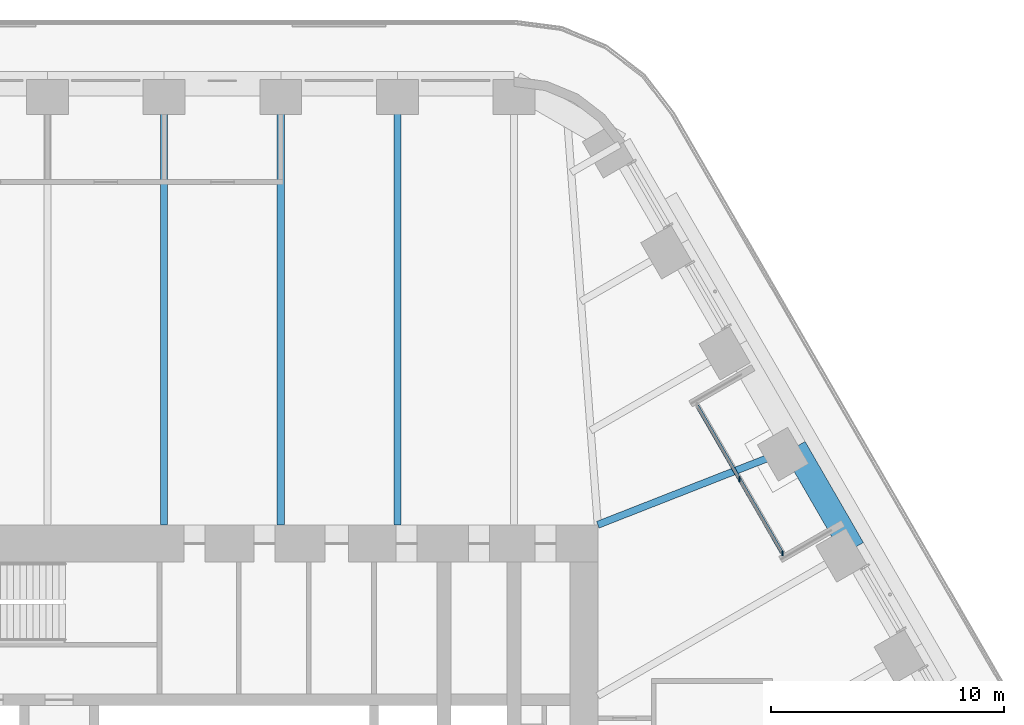
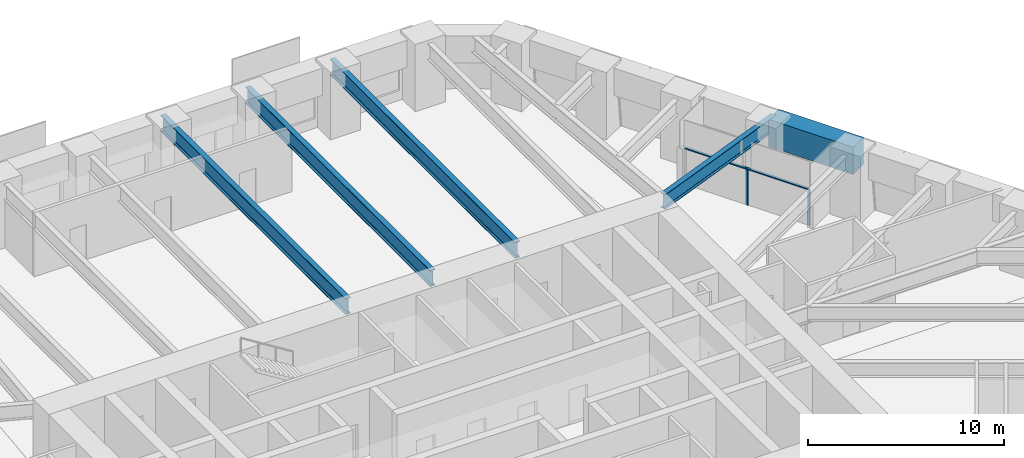
# One storey, part 11 of 24: 5 beams, 3 members, 1 element without a shape of its own.
"""IFC4 building model written with IfcOpenShell, lengths in metres."""

import ifcopenshell
import ifcopenshell.guid

model = None  # the IFC model being written
_history = None  # IfcOwnerHistory: only IFC2X3 demands one
_inside = {}  # id of a spatial element -> (the spatial element, [elements in it])
_under = {}  # id of a project, library or spatial element -> (it, [spatial elements below it])
_declared = {}  # id of a project -> (the project, [libraries it declares])
_typed = {}  # id of a type object -> (the type object, [elements of that type])
_made_of = {}  # id of a material, layer set ... -> (it, [elements and type objects made of it])


def new_model(schema):
    """Start an empty IFC model of exactly this schema.

    Asked for "IFC4X3", IfcOpenShell would pick the latest addendum, in which some entities
    have other attributes; the version numbers below select the first issue.
    IFC2X3 requires an IfcOwnerHistory on every rooted entity: one is made here for all.
    """
    global model, _history
    if schema == "IFC4X3":
        model = ifcopenshell.file(schema_version=(4, 3, 0, 0))
    else:
        model = ifcopenshell.file(schema=schema)
    _inside.clear()
    _under.clear()
    _declared.clear()
    _typed.clear()
    _made_of.clear()
    _history = None
    if model.schema == "IFC2X3":
        org = make("IfcOrganization", Name="unknown")
        user = make(
            "IfcPersonAndOrganization",
            ThePerson=make("IfcPerson", FamilyName="unknown"),
            TheOrganization=org,
        )
        app = make(
            "IfcApplication",
            ApplicationDeveloper=org,
            Version="unknown",
            ApplicationFullName="unknown",
            ApplicationIdentifier="unknown",
        )
        _history = make(
            "IfcOwnerHistory",
            OwningUser=user,
            OwningApplication=app,
            ChangeAction="ADDED",
            CreationDate=0,
        )
    return model


def make(cls, **values):
    """One entity of the class cls with the attributes given. An attribute that is None is left unset."""
    return model.create_entity(
        cls, **{name: value for name, value in values.items() if value is not None}
    )


def rooted(cls, **values):
    """An entity with a GlobalId (a new one), such as an element, a storey or a relation."""
    return make(cls, GlobalId=ifcopenshell.guid.new(), OwnerHistory=_history, **values)


def si_unit(unit_type, name, prefix=None):
    """IfcSIUnit, for example si_unit("LENGTHUNIT", "METRE", prefix="MILLI")."""
    return make("IfcSIUnit", UnitType=unit_type, Prefix=prefix, Name=name)


def assignment(units):
    """IfcUnitAssignment: the units of a project."""
    return None if units is None else make("IfcUnitAssignment", Units=units)


def point(xyz):
    """IfcCartesianPoint."""
    return None if xyz is None else make("IfcCartesianPoint", Coordinates=xyz)


def direction(xyz):
    """IfcDirection."""
    return None if xyz is None else make("IfcDirection", DirectionRatios=xyz)


def frame(location, z_axis=None, x_axis=None):
    """IfcAxis2Placement3D, a coordinate frame: its origin and axes. An axis left out is left unset."""
    return make(
        "IfcAxis2Placement3D",
        Location=point(location),
        Axis=direction(z_axis),
        RefDirection=direction(x_axis),
    )


def frame_2d(location, x_axis=None):
    """IfcAxis2Placement2D, a coordinate frame in the plane: its origin and x axis."""
    return make(
        "IfcAxis2Placement2D", Location=point(location), RefDirection=direction(x_axis)
    )


def origin():
    """The frame at (0, 0, 0) with its axes left unset."""
    return frame((0.0, 0.0, 0.0))


def origin_2d():
    """The frame at (0, 0) in the plane with its x axis left unset."""
    return frame_2d((0.0, 0.0))


def place(relative_to, where):
    """IfcLocalPlacement: puts the frame where relative to a parent placement (None: the world)."""
    return make(
        "IfcLocalPlacement", PlacementRelTo=relative_to, RelativePlacement=where
    )


def context(
    kind, dimensions, precision=None, world=None, true_north=None, identifier=None
):
    """IfcGeometricRepresentationContext, for example the 3D "Model" context."""
    return make(
        "IfcGeometricRepresentationContext",
        ContextIdentifier=identifier,
        ContextType=kind,
        CoordinateSpaceDimension=dimensions,
        Precision=precision,
        WorldCoordinateSystem=world,
        TrueNorth=true_north,
    )


def subcontext(parent, identifier, kind, view, scale=None):
    """IfcGeometricRepresentationSubContext, for example "Body" below "Model"."""
    return make(
        "IfcGeometricRepresentationSubContext",
        ContextIdentifier=identifier,
        ContextType=kind,
        ParentContext=parent,
        TargetScale=scale,
        TargetView=view,
    )


def project(units=None, contexts=None):
    """IfcProject with its units and contexts."""
    return rooted(
        "IfcProject",
        Name="project",
        RepresentationContexts=contexts,
        UnitsInContext=assignment(units),
    )


def spatial(cls, under=None, at=None, **own):
    """A site, building, storey or space (cls), placed at a placement, below another one or the project."""
    s = rooted(cls, ObjectPlacement=at, **own)
    if under is not None:
        _under.setdefault(under.id(), (under, []))[1].append(s)
    return s


def profile(cls, at=None, kind="AREA", **sizes):
    """A parametric profile (cls). Its sizes go by their IFC names, for example OverallWidth=200.0."""
    return make(cls, ProfileType=kind, Position=at, **sizes)


def rectangle(**sizes):
    """IfcRectangleProfileDef."""
    return profile("IfcRectangleProfileDef", **sizes)


def i_section(**sizes):
    """IfcIShapeProfileDef."""
    return profile("IfcIShapeProfileDef", **sizes)


def extrude(swept, where, along, depth):
    """IfcExtrudedAreaSolid: the profile swept, set in the frame where, extruded along a direction by depth."""
    return make(
        "IfcExtrudedAreaSolid",
        SweptArea=swept,
        Position=where,
        ExtrudedDirection=direction(along),
        Depth=depth,
    )


def shape(context_of_items, identifier, shape_type, items):
    """IfcShapeRepresentation: the items that make up one representation, for example the "Body"."""
    return make(
        "IfcShapeRepresentation",
        ContextOfItems=context_of_items,
        RepresentationIdentifier=identifier,
        RepresentationType=shape_type,
        Items=items,
    )


def material(Name=None, Category=None):
    """IfcMaterial."""
    return make("IfcMaterial", Name=Name, Category=Category)


def material_profile(
    of_material, cross_section, Name=None, Category=None, Priority=None
):
    """IfcMaterialProfile: a cross section and its material."""
    return make(
        "IfcMaterialProfile",
        Name=Name,
        Material=of_material,
        Profile=cross_section,
        Priority=Priority,
        Category=Category,
    )


def profile_set(profiles, Name=None, composite=None):
    """IfcMaterialProfileSet."""
    return make(
        "IfcMaterialProfileSet",
        Name=Name,
        MaterialProfiles=profiles,
        CompositeProfile=composite,
    )


def made_of(thing, what):
    """Note that an element or type object is made of a material, layer set ...; save() writes the relation."""
    if what is not None:
        _made_of.setdefault(what.id(), (what, []))[1].append(thing)
    return thing


def type_object(cls, material=None, **own):
    """A type object (cls), such as IfcWallType, which elements share."""
    return made_of(rooted(cls, **own), material)


def element(
    cls,
    number,
    at=None,
    inside=None,
    cuts=None,
    type_object=None,
    material=None,
    context=None,
    identifier="Body",
    shape_type=None,
    held_by="IfcProductDefinitionShape",
    body=None,
    shapes=None,
    **own,
):
    """One element of the class cls, such as IfcWall. Its Tag is "e" and its number.

    at: its placement. inside: the storey or other place that contains it. cuts: it is an
    opening in that element (IfcRelVoidsElement). A single representation is given by context,
    identifier, shape_type and body (its items); several are given by shapes. held_by: the class
    of the entity that holds the representations. save() writes the other relations.
    """
    e = rooted(cls, Tag="e%d" % number, ObjectPlacement=at, **own)
    if body is not None:
        shapes = [shape(context, identifier, shape_type, body)]
    if shapes is not None:
        e.Representation = make(held_by, Representations=shapes)
    if inside is not None:
        _inside.setdefault(inside.id(), (inside, []))[1].append(e)
    if cuts is not None:
        rooted(
            "IfcRelVoidsElement", RelatingBuildingElement=cuts, RelatedOpeningElement=e
        )
    if type_object is not None:
        _typed.setdefault(type_object.id(), (type_object, []))[1].append(e)
    return made_of(e, material)


def aggregate(whole, parts):
    """IfcRelAggregates: a whole, such as a stair, and the parts it consists of."""
    return rooted("IfcRelAggregates", RelatingObject=whole, RelatedObjects=parts)


def save(model, path):
    """Write the relations noted so far, then the file.

    IfcRelAggregates (storeys below a building ...), IfcRelContainedInSpatialStructure (elements
    in a storey), IfcRelDefinesByType, IfcRelAssociatesMaterial and IfcRelDeclares: one each for
    every whole, place, type object, material and project.
    """
    for whole, parts in _under.values():
        aggregate(whole, parts)
    for where, things in _inside.values():
        rooted(
            "IfcRelContainedInSpatialStructure",
            RelatedElements=things,
            RelatingStructure=where,
        )
    for kind, things in _typed.values():
        rooted("IfcRelDefinesByType", RelatedObjects=things, RelatingType=kind)
    for what, things in _made_of.values():
        rooted("IfcRelAssociatesMaterial", RelatedObjects=things, RelatingMaterial=what)
    for by, libraries in _declared.values():
        rooted("IfcRelDeclares", RelatingContext=by, RelatedDefinitions=libraries)
    model.write(path)


model = new_model("IFC4")

# Units and contexts
model_context = context("Model", 3, precision=1e-05, world=origin(), true_north=direction((0.0, 1.0)))
body_context = subcontext(model_context, "Body", "Model", "MODEL_VIEW")
ifc_project = project(units=[si_unit("LENGTHUNIT", "METRE"), si_unit("AREAUNIT", "SQUARE_METRE"), si_unit("VOLUMEUNIT", "CUBIC_METRE"), si_unit("PLANEANGLEUNIT", "RADIAN"), si_unit("MASSUNIT", "GRAM", prefix="KILO")], contexts=[model_context])

# Site, building, storey
site_placement = place(None, origin())
site = spatial("IfcSite", under=ifc_project, at=site_placement, CompositionType="ELEMENT")
building_placement = place(site_placement, origin())
building = spatial("IfcBuilding", under=site, at=building_placement, Name="Tarfa Lantern Tower", CompositionType="ELEMENT")
storey_placement = place(building_placement, frame((0.0, 0.0, 132.10009765625)))
storey = spatial("IfcBuildingStorey", under=building, at=storey_placement, Name="L29", CompositionType="ELEMENT", Elevation=132.10009765625)

# Curtain wall, members
ifc_material_1 = material(Name="Aluminium framed curtain wall", Category="aluminium")
curtain_wall_type = type_object("IfcCurtainWallType", Name="CW10 LOGGIA GLAZING 2300", PredefinedType="USERDEFINED", material=ifc_material_1)
curtain_wall_placement = place(storey_placement, origin())
curtain_wall = element("IfcCurtainWall", 1, at=curtain_wall_placement, inside=storey, type_object=curtain_wall_type, Name="CW10 NEL L29", ObjectType="CURTAIN WALL", PredefinedType="USERDEFINED")
ifc_material_2 = material(Name="Aluminium mullion", Category="aluminium")
ifc_material_profile_1 = material_profile(ifc_material_2, rectangle(XDim=0.06494140625, YDim=0.199951171875, at=origin_2d()), Name="AL MULLION 65x200")
ifc_profile_set_1 = profile_set([ifc_material_profile_1], Name="Aluminium mullion")
member_type_1 = type_object("IfcMemberType", Name="CWM1 MULLION 65x200", PredefinedType="MULLION", material=ifc_profile_set_1)
member_1_placement = place(storey_placement, frame((26.517333984375, 11.070556640625, 0.0), z_axis=(0.0, 0.0, 1.0), x_axis=(1.0, 0.0, 0.0)))
member_1 = element("IfcMember", 2, at=member_1_placement, type_object=member_type_1, Name="CW10 mullion 1", PredefinedType="MULLION", context=body_context, shape_type="SweptSolid", body=[
    extrude(rectangle(XDim=0.06494140625, YDim=0.199951171875, at=origin_2d()), origin(), (0.0, 0.0, 1.0), 2.2998046875),
])
member_2_placement = place(storey_placement, frame((24.681640625, 14.25, 0.0), z_axis=(0.0, 0.0, 1.0), x_axis=(1.0, 0.0, 0.0)))
member_2 = element("IfcMember", 3, at=member_2_placement, type_object=member_type_1, Name="CW10 mullion 2", PredefinedType="MULLION", context=body_context, shape_type="SweptSolid", body=[
    extrude(rectangle(XDim=0.06494140625, YDim=0.199951171875, at=origin_2d()), origin(), (0.0, 0.0, 1.0), 2.2998046875),
])
ifc_material_3 = material(Name="Aluminium transom", Category="aluminium")
ifc_material_profile_2 = material_profile(ifc_material_3, rectangle(XDim=0.14990234375, YDim=0.06494140625, at=origin_2d()), Name="AL TRANSOM 150x65")
ifc_profile_set_2 = profile_set([ifc_material_profile_2], Name="Aluminium transom")
member_type_2 = type_object("IfcMemberType", Name="CWT1 TRANSOM 150x65", PredefinedType="USERDEFINED", material=ifc_profile_set_2)
member_3_placement = place(storey_placement, frame((26.5009765625, 11.098876953125, 2.267333984375), z_axis=(-0.500007048974, 0.866021334019, 0.0), x_axis=(-0.866021334019, -0.500007048974, 0.0)))
member_3 = element("IfcMember", 4, at=member_3_placement, type_object=member_type_2, Name="CW10 transom 1.2", ObjectType="TRANSOM", PredefinedType="USERDEFINED", context=body_context, shape_type="SweptSolid", body=[
    extrude(rectangle(XDim=0.14990234375, YDim=0.06494140625, at=origin_2d()), origin(), (0.0, 0.0, 1.0), 7.27734375),
])
aggregate(curtain_wall, [member_1, member_2, member_3])

# Beams
ifc_material_4 = material(Name="Concrete C80/95", Category="concrete")
ifc_material_profile_3 = material_profile(ifc_material_4, rectangle(XDim=1.050048828125, YDim=1.699951171875, at=origin_2d()), Name="RC 1050x1700")
ifc_profile_set_3 = profile_set([ifc_material_profile_3], Name="Concrete C80/95")
beam_type_1 = type_object("IfcBeamType", Name="RB2 RC 1050x1700", PredefinedType="BEAM", material=ifc_profile_set_3)
beam_1_placement = place(storey_placement, frame((29.5390625, 11.276611328125, 3.14990234375), z_axis=(-0.499964603504, 0.866045838996, 0.0), x_axis=(-0.866045838996, -0.499964603504, 0.0)))
element("IfcBeam", 5, at=beam_1_placement, inside=storey, type_object=beam_type_1, Name="Edge beam NE2", PredefinedType="BEAM", context=body_context, shape_type="SweptSolid", body=[
    extrude(rectangle(XDim=1.050048828125, YDim=1.699951171875, at=origin_2d()), origin(), (0.0, 0.0, 1.0), 5.003662109375),
])
ifc_material_5 = material(Name="Steel S460M", Category="steel")
ifc_material_profile_4 = material_profile(ifc_material_5, i_section(OverallWidth=0.302001953125, OverallDepth=1.008056640625, WebThickness=0.02099609375, FlangeThickness=0.0400390625, FilletRadius=0.030029296875, at=origin_2d()), Name="UB1016x305x349")
ifc_profile_set_4 = profile_set([ifc_material_profile_4], Name="Steel S460M")
beam_type_2 = type_object("IfcBeamType", Name="UB1016x305x349", PredefinedType="BEAM", material=ifc_profile_set_4)
for number, where, z_axis, x_axis, name in (
    (6, (10.00732421875, 31.219970703125, 3.495849609375), (0.0, -1.0, 0.0), (1.0, 0.0, 0.0), "Floor beam N1"),
    (7, (5.003662109375, 31.219970703125, 3.495849609375), (0.0, -1.0, 0.0), (1.0, 0.0, 0.0), "Floor beam N2"),
    (8, (0.0, 31.219970703125, 3.495849609375), (0.0, -1.0, 0.0), (1.0, 0.0, 0.0), "Floor beam N3"),
):
    element("IfcBeam", number, at=place(storey_placement, frame(where, z_axis=z_axis, x_axis=x_axis)), inside=storey, type_object=beam_type_2, Name=name, PredefinedType="BEAM", context=body_context, shape_type="SweptSolid", body=[
        extrude(i_section(OverallWidth=0.302001953125, OverallDepth=1.008056640625, WebThickness=0.02099609375, FlangeThickness=0.0400390625, FilletRadius=0.030029296875, at=origin_2d()), origin(), (0.0, 0.0, 1.0), 18.919921875),
    ])
ifc_material_profile_5 = material_profile(ifc_material_5, i_section(OverallWidth=0.305419921875, OverallDepth=0.91845703125, WebThickness=0.017333984375, FlangeThickness=0.02783203125, FilletRadius=0.01904296875, at=origin_2d()), Name="UB914x305x253")
ifc_profile_set_5 = profile_set([ifc_material_profile_5], Name="Steel S460M")
beam_type_3 = type_object("IfcBeamType", Name="UB914x305x253", PredefinedType="BEAM", material=ifc_profile_set_5)
beam_2_placement = place(storey_placement, frame((27.037353515625, 15.610107421875, 3.540771484375), z_axis=(-0.930923282782, -0.365214788274, 0.0), x_axis=(0.365214788274, -0.930923282782, 0.0)))
element("IfcBeam", 9, at=beam_2_placement, inside=storey, type_object=beam_type_3, Name="Floor beam NE3", PredefinedType="BEAM", context=body_context, shape_type="SweptSolid", body=[
    extrude(i_section(OverallWidth=0.305419921875, OverallDepth=0.91845703125, WebThickness=0.017333984375, FlangeThickness=0.02783203125, FilletRadius=0.01904296875, at=origin_2d()), origin(), (0.0, 0.0, 1.0), 9.063232421875),
])

save(model, "model.ifc")
